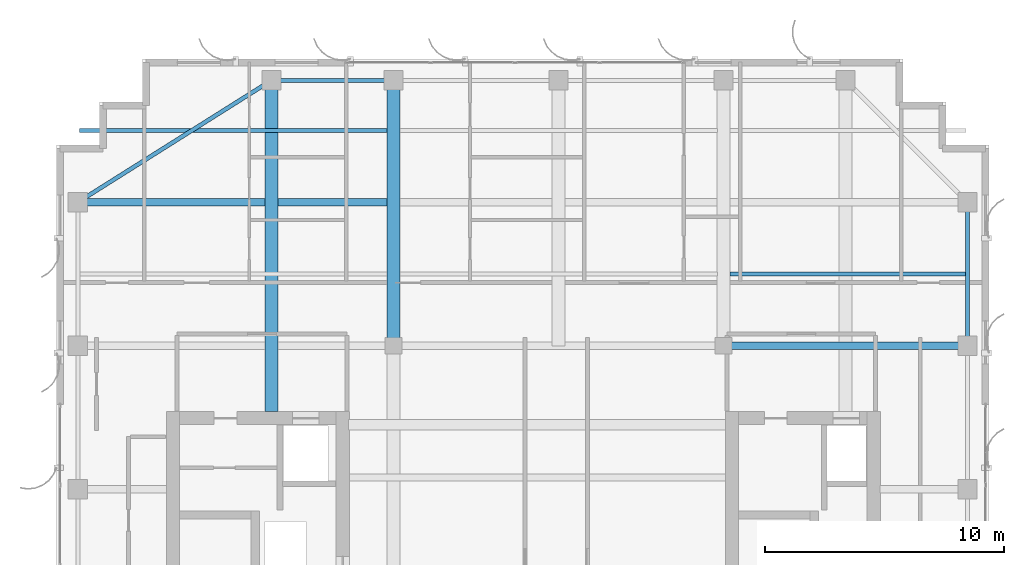
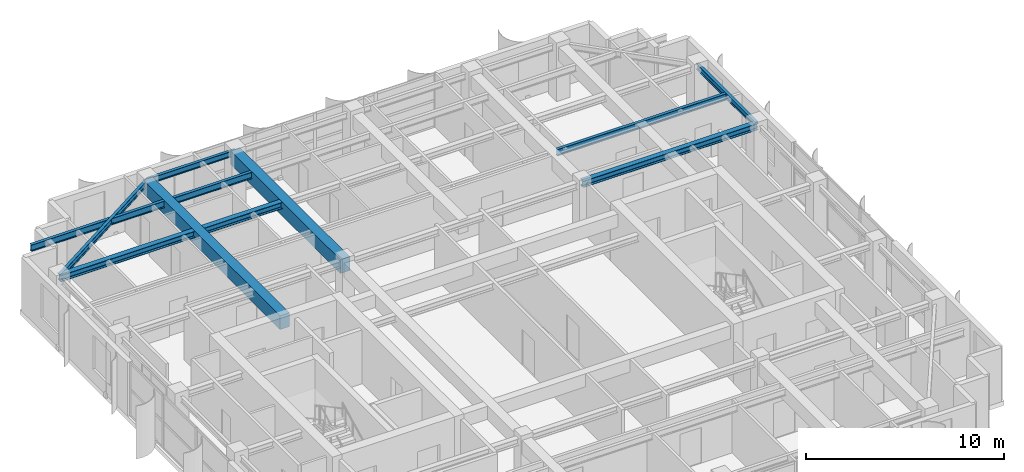
# One storey, part 12 of 22: 9 beams.
"""IFC4 building model written with IfcOpenShell, lengths in metres."""

from ifc_helpers import new_model, si_unit, direction, frame, origin, origin_2d, place, context, subcontext, project, spatial, rectangle, i_section, extrude, source, transform, mapped, material, material_profile, profile_set, type_object, element, save


model = new_model("IFC4")

# Units and contexts
model_context = context("Model", 3, precision=1e-05, world=origin(), true_north=direction((0.0, 1.0)))
body_context = subcontext(model_context, "Body", "Model", "MODEL_VIEW")
ifc_project = project(units=[si_unit("LENGTHUNIT", "METRE"), si_unit("AREAUNIT", "SQUARE_METRE"), si_unit("VOLUMEUNIT", "CUBIC_METRE"), si_unit("PLANEANGLEUNIT", "RADIAN"), si_unit("MASSUNIT", "GRAM", prefix="KILO")], contexts=[model_context])

# Site, building, storey
site_placement = place(None, origin())
site = spatial("IfcSite", under=ifc_project, at=site_placement, CompositionType="ELEMENT")
building_placement = place(site_placement, origin())
building = spatial("IfcBuilding", under=site, at=building_placement, Name="Khoralis Quay Care Tower", CompositionType="ELEMENT")
storey_placement = place(building_placement, frame((0.0, 0.0, 278.10009765625)))
storey = spatial("IfcBuildingStorey", under=building, at=storey_placement, Name="L73", CompositionType="ELEMENT", Elevation=278.10009765625)

# Beams
ifc_material_1 = material(Name="Steel S355", Category="steel")
ifc_material_profile_1 = material_profile(ifc_material_1, i_section(OverallWidth=0.169921875, OverallDepth=0.360107421875, WebThickness=0.008056640625, FlangeThickness=0.0126953125, FilletRadius=0.01806640625, at=origin_2d()), Name="Steel S355")
ifc_profile_set_1 = profile_set([ifc_material_profile_1], Name="Steel S355")
beam_type_1 = type_object("IfcBeamType", Name="BM-IPE360", PredefinedType="SPANDREL", material=ifc_profile_set_1)
shared_shape_1 = source(origin(), body_context, "Body", "SweptSolid", [
    extrude(i_section(OverallWidth=0.169921875, OverallDepth=0.360107421875, WebThickness=0.008056640625, FlangeThickness=0.0126953125, FilletRadius=0.01806640625, at=origin_2d()), origin(), (0.0, 0.0, 1.0), 5.10009765625),
])
beam_1_placement = place(storey_placement, frame((12.0, 41.10009765625, 3.139892578125), z_axis=(1.0, 0.0, 0.0), x_axis=(0.0, 1.0, 0.0)))
element("IfcBeam", 1, at=beam_1_placement, inside=storey, type_object=beam_type_1, Name="BM-TSP-L73-05", PredefinedType="SPANDREL", context=body_context, shape_type="MappedRepresentation", body=[
    mapped(shared_shape_1, transform((0.0, 0.0, 0.0), scale=1.0)),
])
shared_shape_2 = source(origin(), body_context, "Body", "SweptSolid", [
    extrude(i_section(OverallWidth=0.169921875, OverallDepth=0.360107421875, WebThickness=0.008056640625, FlangeThickness=0.0126953125, FilletRadius=0.01806640625, at=origin_2d()), origin(), (0.0, 0.0, 1.0), 6.0),
])
beam_2_placement = place(storey_placement, frame((41.10009765625, 30.0, 3.139892578125), z_axis=(0.0, 1.0, 0.0), x_axis=(-1.0, 0.0, 0.0)))
element("IfcBeam", 2, at=beam_2_placement, inside=storey, type_object=beam_type_1, Name="BM-TSP-L73-16", PredefinedType="SPANDREL", context=body_context, shape_type="MappedRepresentation", body=[
    mapped(shared_shape_2, transform((0.0, 0.0, 0.0), scale=1.0)),
])
shared_shape_3 = source(origin(), body_context, "Body", "SweptSolid", [
    extrude(i_section(OverallWidth=0.169921875, OverallDepth=0.360107421875, WebThickness=0.008056640625, FlangeThickness=0.0126953125, FilletRadius=0.01806640625, at=origin_2d()), origin(), (0.0, 0.0, 1.0), 9.572021484375),
])
beam_3_placement = place(storey_placement, frame((12.0, 41.10009765625, 3.139892578125), z_axis=(-0.846231136359, -0.532815975602, 0.0), x_axis=(0.532815975602, -0.846231136359, 0.0)))
element("IfcBeam", 3, at=beam_3_placement, inside=storey, type_object=beam_type_1, Name="BM-TCR-L73-19", PredefinedType="SPANDREL", context=body_context, shape_type="MappedRepresentation", body=[
    mapped(shared_shape_3, transform((0.0, 0.0, 0.0), scale=1.0)),
])
ifc_material_profile_2 = material_profile(ifc_material_1, i_section(OverallWidth=0.300048828125, OverallDepth=0.39990234375, WebThickness=0.013427734375, FlangeThickness=0.02392578125, FilletRadius=0.027099609375, at=origin_2d()), Name="Steel S355")
ifc_profile_set_2 = profile_set([ifc_material_profile_2], Name="Steel S355")
beam_type_2 = type_object("IfcBeamType", Name="BM-HEB400", PredefinedType="BEAM", material=ifc_profile_set_2)
shared_shape_4 = source(origin(), body_context, "Body", "SweptSolid", [
    extrude(i_section(OverallWidth=0.300048828125, OverallDepth=0.39990234375, WebThickness=0.013427734375, FlangeThickness=0.02392578125, FilletRadius=0.027099609375, at=origin_2d()), origin(), (0.0, 0.0, 1.0), 12.93701171875),
])
beam_4_placement = place(storey_placement, frame((3.89990234375, 36.0, 3.119873046875), z_axis=(1.0, 0.0, 0.0), x_axis=(0.0, 1.0, 0.0)))
element("IfcBeam", 4, at=beam_4_placement, inside=storey, type_object=beam_type_2, Name="BM-TGXW-L73-360", PredefinedType="BEAM", context=body_context, shape_type="MappedRepresentation", body=[
    mapped(shared_shape_4, transform((0.0, 0.0, 0.0), scale=1.0)),
])
shared_shape_5 = source(origin(), body_context, "Body", "SweptSolid", [
    extrude(i_section(OverallWidth=0.300048828125, OverallDepth=0.39990234375, WebThickness=0.013427734375, FlangeThickness=0.02392578125, FilletRadius=0.027099609375, at=origin_2d()), origin(), (0.0, 0.0, 1.0), 10.2001953125),
])
beam_5_placement = place(storey_placement, frame((30.89990234375, 30.0, 3.119873046875), z_axis=(1.0, 0.0, 0.0), x_axis=(0.0, 1.0, 0.0)))
element("IfcBeam", 5, at=beam_5_placement, inside=storey, type_object=beam_type_2, Name="BM-TGXE-L73-300", PredefinedType="BEAM", context=body_context, shape_type="MappedRepresentation", body=[
    mapped(shared_shape_5, transform((0.0, 0.0, 0.0), scale=1.0)),
])
ifc_material_2 = material(Name="Concrete C50/60", Category="concrete")
ifc_material_profile_3 = material_profile(ifc_material_2, rectangle(XDim=0.550048828125, YDim=0.85009765625, at=origin_2d()), Name="Concrete C50/60")
ifc_profile_set_3 = profile_set([ifc_material_profile_3], Name="Concrete C50/60")
beam_type_3 = type_object("IfcBeamType", Name="BM-RC550X850", PredefinedType="BEAM", material=ifc_profile_set_3)
shared_shape_6 = source(origin(), body_context, "Body", "SweptSolid", [
    extrude(rectangle(XDim=0.550048828125, YDim=0.85009765625, at=origin_2d()), origin(), (0.0, 0.0, 1.0), 13.85205078125),
])
beam_6_placement = place(storey_placement, frame((12.0, 27.248046875, 2.89501953125), z_axis=(0.0, 1.0, 0.0), x_axis=(-1.0, 0.0, 0.0)))
element("IfcBeam", 6, at=beam_6_placement, inside=storey, type_object=beam_type_3, Name="BM-TGYN-L73-120", PredefinedType="BEAM", context=body_context, shape_type="MappedRepresentation", body=[
    mapped(shared_shape_6, transform((0.0, 0.0, 0.0), scale=1.0)),
])
shared_shape_7 = source(origin(), body_context, "Body", "SweptSolid", [
    extrude(rectangle(XDim=0.550048828125, YDim=0.85009765625, at=origin_2d()), origin(), (0.0, 0.0, 1.0), 11.10009765625),
])
beam_7_placement = place(storey_placement, frame((17.10009765625, 30.0, 2.89501953125), z_axis=(0.0, 1.0, 0.0), x_axis=(-1.0, 0.0, 0.0)))
element("IfcBeam", 7, at=beam_7_placement, inside=storey, type_object=beam_type_3, Name="BM-TGYN-L73-171", PredefinedType="BEAM", context=body_context, shape_type="MappedRepresentation", body=[
    mapped(shared_shape_7, transform((0.0, 0.0, 0.0), scale=1.0)),
])
ifc_material_profile_4 = material_profile(ifc_material_1, i_section(OverallWidth=0.177978515625, OverallDepth=0.406982421875, WebThickness=0.0078125, FlangeThickness=0.0126953125, FilletRadius=0.012939453125, at=origin_2d()), Name="Steel S355")
ifc_profile_set_4 = profile_set([ifc_material_profile_4], Name="Steel S355")
beam_type_4 = type_object("IfcBeamType", Name="BM-W410X60", PredefinedType="JOIST", material=ifc_profile_set_4)
shared_shape_8 = source(origin(), body_context, "Body", "SweptSolid", [
    extrude(i_section(OverallWidth=0.177978515625, OverallDepth=0.406982421875, WebThickness=0.0078125, FlangeThickness=0.0126953125, FilletRadius=0.012939453125, at=origin_2d()), origin(), (0.0, 0.0, 1.0), 12.865966796875),
])
beam_8_placement = place(storey_placement, frame((3.970947265625, 39.0, 3.116455078125), z_axis=(1.0, 0.0, 0.0), x_axis=(0.0, 1.0, 0.0)))
element("IfcBeam", 8, at=beam_8_placement, inside=storey, type_object=beam_type_4, Name="BM-TJS-L73-27", PredefinedType="JOIST", context=body_context, shape_type="MappedRepresentation", body=[
    mapped(shared_shape_8, transform((0.0, 0.0, 0.0), scale=1.0)),
])
shared_shape_9 = source(origin(), body_context, "Body", "SweptSolid", [
    extrude(i_section(OverallWidth=0.177978515625, OverallDepth=0.406982421875, WebThickness=0.0078125, FlangeThickness=0.0126953125, FilletRadius=0.012939453125, at=origin_2d()), origin(), (0.0, 0.0, 1.0), 9.865966796875),
])
beam_9_placement = place(storey_placement, frame((31.1630859375, 33.0, 3.116455078125), z_axis=(1.0, 0.0, 0.0), x_axis=(0.0, 1.0, 0.0)))
element("IfcBeam", 9, at=beam_9_placement, inside=storey, type_object=beam_type_4, Name="BM-TJS-L73-25", PredefinedType="JOIST", context=body_context, shape_type="MappedRepresentation", body=[
    mapped(shared_shape_9, transform((0.0, 0.0, 0.0), scale=1.0)),
])

save(model, "model.ifc")
